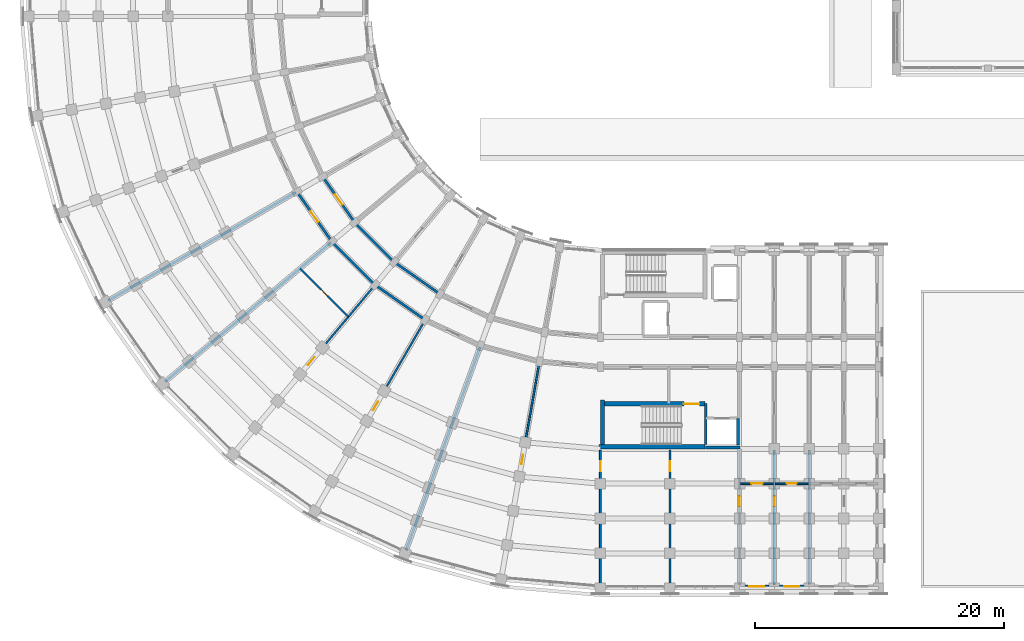
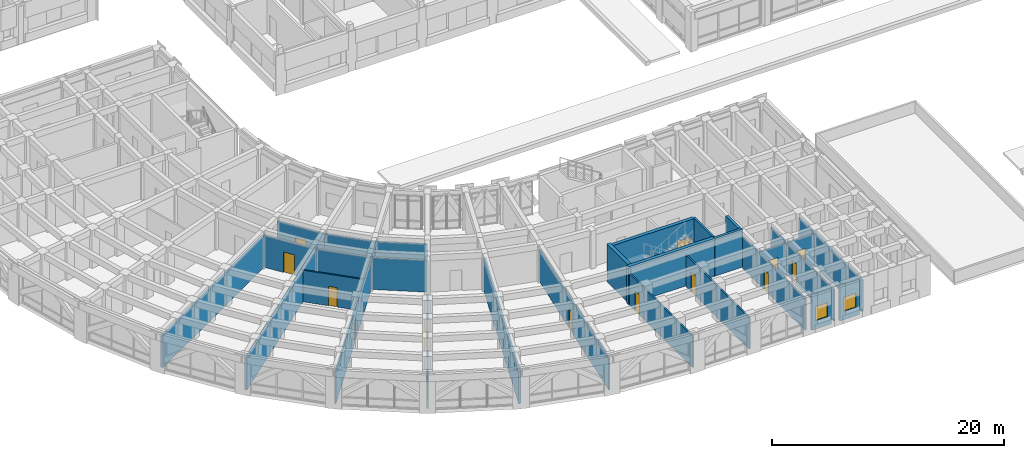
# One storey, part 57 of 97: 28 walls, 13 doors, 2 windows, 15 openings.
"""IFC4 building model written with IfcOpenShell, lengths in metres."""

from ifc_helpers import new_model, si_unit, direction, frame, frame_2d, origin, place, context, subcontext, project, spatial, rectangle, extrude, material, layer, layer_set, type_object, element, fill, save


model = new_model("IFC4")

# Units and contexts
model_context = context("Model", 3, precision=1e-05, world=origin(), true_north=direction((0.0, 1.0)))
body_context = subcontext(model_context, "Body", "Model", "MODEL_VIEW")
ifc_project = project(units=[si_unit("LENGTHUNIT", "METRE"), si_unit("AREAUNIT", "SQUARE_METRE"), si_unit("VOLUMEUNIT", "CUBIC_METRE"), si_unit("PLANEANGLEUNIT", "RADIAN"), si_unit("MASSUNIT", "GRAM", prefix="KILO")], contexts=[model_context])

# Site, building, storey
site_placement = place(None, origin())
site = spatial("IfcSite", under=ifc_project, at=site_placement, CompositionType="ELEMENT")
building_placement = place(site_placement, origin())
building = spatial("IfcBuilding", under=site, at=building_placement, Name="Kiranvali Square Residences", CompositionType="ELEMENT")
storey_placement = place(building_placement, frame((0.0, 0.0, 4.5)))
storey = spatial("IfcBuildingStorey", under=building, at=storey_placement, Name="L01", CompositionType="ELEMENT", Elevation=4.5)

# Walls
ifc_material_1 = material(Name="Autoclaved aerated concrete blockwork masonry", Category="masonry")
ifc_layer_1 = layer(ifc_material_1, 0.199951171875)
ifc_layer_set_1 = layer_set([ifc_layer_1], Name="Autoclaved aerated concrete blockwork masonry")
wall_type_1 = type_object("IfcWallType", Name="WL-COR-200", PredefinedType="STANDARD", material=ifc_layer_set_1)
wall_1_placement = place(storey_placement, frame((35.300048828125, 25.8564453125, 0.0), z_axis=(0.0, 0.0, 1.0), x_axis=(-0.819155404658, 0.573571637217, 0.0)))
element("IfcWall", 1, at=wall_1_placement, inside=storey, type_object=wall_type_1, Name="L01 architectural wall WL-L01-C-CCI-3", PredefinedType="STANDARD", context=body_context, shape_type="SweptSolid", body=[
    extrude(rectangle(XDim=4.497314453125, YDim=0.199951171875, at=frame_2d((2.24853515625, 0.0))), origin(), (0.0, 0.0, 1.0), 3.322021484375),
])
wall_2_placement = place(storey_placement, frame((34.10009765625, 23.778076171875, 0.0), z_axis=(0.0, 0.0, 1.0), x_axis=(-0.819140911474, 0.573592335331, 0.0)))
element("IfcWall", 2, at=wall_2_placement, inside=storey, type_object=wall_type_1, Name="L01 architectural wall WL-L01-C-CCO-3", PredefinedType="STANDARD", context=body_context, shape_type="SweptSolid", body=[
    extrude(rectangle(XDim=4.915771484375, YDim=0.199951171875, at=frame_2d((2.4580078125, 0.0))), origin(), (0.0, 0.0, 1.0), 3.322021484375),
])
wall_3_placement = place(storey_placement, frame((31.615966796875, 28.43603515625, 0.0), z_axis=(0.0, 0.0, 1.0), x_axis=(-0.707106781187, 0.707106781187, 0.0)))
element("IfcWall", 3, at=wall_3_placement, inside=storey, type_object=wall_type_1, Name="L01 architectural wall WL-L01-C-CCI-4", PredefinedType="STANDARD", context=body_context, shape_type="SweptSolid", body=[
    extrude(rectangle(XDim=4.4970703125, YDim=0.199951171875, at=frame_2d((2.24853515625, 0.0))), origin(), (0.0, 0.0, 1.0), 3.322021484375),
])
wall_4_placement = place(storey_placement, frame((30.073486328125, 26.59765625, 0.0), z_axis=(0.0, 0.0, 1.0), x_axis=(-0.707106781187, 0.707106781187, 0.0)))
element("IfcWall", 4, at=wall_4_placement, inside=storey, type_object=wall_type_1, Name="L01 architectural wall WL-L01-C-CCO-4", PredefinedType="STANDARD", context=body_context, shape_type="SweptSolid", body=[
    extrude(rectangle(XDim=4.91552734375, YDim=0.199951171875, at=frame_2d((2.457763671875, 0.0))), origin(), (0.0, 0.0, 1.0), 3.322021484375),
])

# Wall, opening, door
wall_5_placement = place(storey_placement, frame((28.43603515625, 31.615966796875, 0.0), z_axis=(0.0, 0.0, 1.0), x_axis=(-0.573571637217, 0.819155404658, 0.0)))
wall_5 = element("IfcWall", 5, at=wall_5_placement, inside=storey, type_object=wall_type_1, Name="L01 architectural wall WL-L01-C-CCI-5", PredefinedType="STANDARD", context=body_context, shape_type="SweptSolid", body=[
    extrude(rectangle(XDim=4.497314453125, YDim=0.199951171875, at=frame_2d((2.24853515625, 0.0))), origin(), (0.0, 0.0, 1.0), 3.322021484375),
])
opening_1_placement = place(wall_5_placement, frame((1.74853515625, 0.0, 0.0)))
opening_1 = element("IfcOpeningElement", 6, at=opening_1_placement, cuts=wall_5, Name="Opening FD-APT-60", PredefinedType="OPENING", context=body_context, shape_type="SweptSolid", body=[
    extrude(rectangle(XDim=1.0, YDim=2.14990234375, at=frame_2d((0.5, 1.074951171875))), frame((0.0, 0.10986328125, 0.0), z_axis=(0.0, -1.0, 0.0), x_axis=(1.0, 0.0, 0.0)), (0.0, 0.0, 1.0), 0.219970703125),
])
ifc_material_2 = material(Name="Fire-rated acoustic hardwood and mineral-core door assembly", Category="wood")
door_type_1 = type_object("IfcDoorType", Name="DR-APT-1000", OperationType="NOTDEFINED", PredefinedType="DOOR", material=ifc_material_2)
door_1_placement = place(opening_1_placement, origin())
door_1 = element("IfcDoor", 7, at=door_1_placement, inside=storey, type_object=door_type_1, Name="L01 door DR-L01-1833 (DR-APT-1000)", OperationType="SINGLE_SWING_LEFT", OverallHeight=2.14990234375, OverallWidth=1.0, PredefinedType="DOOR", context=body_context, shape_type="SweptSolid", body=[
    extrude(rectangle(XDim=1.0, YDim=2.14990234375, at=frame_2d((0.5, 1.074951171875))), frame((0.0, 0.02490234375, 0.0), z_axis=(0.0, -1.0, 0.0), x_axis=(1.0, 0.0, 0.0)), (0.0, 0.0, 1.0), 0.050048828125),
])
fill(opening_1, door_1)

wall_6_placement = place(storey_placement, frame((26.59765625, 30.073486328125, 0.0), z_axis=(0.0, 0.0, 1.0), x_axis=(-0.573592335331, 0.819140911474, 0.0)))
wall_6 = element("IfcWall", 8, at=wall_6_placement, inside=storey, type_object=wall_type_1, Name="L01 architectural wall WL-L01-C-CCO-5", PredefinedType="STANDARD", context=body_context, shape_type="SweptSolid", body=[
    extrude(rectangle(XDim=4.915771484375, YDim=0.199951171875, at=frame_2d((2.4580078125, 0.0))), origin(), (0.0, 0.0, 1.0), 3.322021484375),
])
opening_2_placement = place(wall_6_placement, frame((1.937744140625, 0.0, 0.0)))
opening_2 = element("IfcOpeningElement", 9, at=opening_2_placement, cuts=wall_6, Name="Opening FD-APT-60B", PredefinedType="OPENING", context=body_context, shape_type="SweptSolid", body=[
    extrude(rectangle(XDim=1.0400390625, YDim=2.14990234375, at=frame_2d((0.52001953125, 1.074951171875))), frame((0.0, 0.10986328125, 0.0), z_axis=(0.0, -1.0, 0.0), x_axis=(1.0, 0.0, 0.0)), (0.0, 0.0, 1.0), 0.219970703125),
])
door_type_2 = type_object("IfcDoorType", Name="DR-APT-1040", OperationType="NOTDEFINED", PredefinedType="DOOR", material=ifc_material_2)
door_2_placement = place(opening_2_placement, origin())
door_2 = element("IfcDoor", 10, at=door_2_placement, inside=storey, type_object=door_type_2, Name="L01 door DR-L01-1827 (DR-APT-1040)", OperationType="SINGLE_SWING_LEFT", OverallHeight=2.14990234375, OverallWidth=1.0400390625, PredefinedType="DOOR", context=body_context, shape_type="SweptSolid", body=[
    extrude(rectangle(XDim=1.0400390625, YDim=2.14990234375, at=frame_2d((0.52001953125, 1.074951171875))), frame((0.0, 0.02490234375, 0.0), z_axis=(0.0, -1.0, 0.0), x_axis=(1.0, 0.0, 0.0)), (0.0, 0.0, 1.0), 0.050048828125),
])
fill(opening_2, door_2)

# Walls
ifc_layer_2 = layer(ifc_material_1, 0.219970703125)
ifc_layer_set_2 = layer_set([ifc_layer_2], Name="Autoclaved aerated concrete blockwork masonry")
wall_type_2 = type_object("IfcWallType", Name="WL-DEM-220", PredefinedType="STANDARD", material=ifc_layer_set_2)
wall_7_placement = place(storey_placement, frame((65.0, 13.300048828125, 0.0), z_axis=(0.0, 0.0, 1.0), x_axis=(0.0, -1.0, 0.0)))
element("IfcWall", 11, at=wall_7_placement, inside=storey, type_object=wall_type_2, Name="L01 architectural wall WL-L01-C-A1TO2-2", PredefinedType="STANDARD", context=body_context, shape_type="SweptSolid", body=[
    extrude(rectangle(XDim=10.820068359375, YDim=0.219970703125, at=frame_2d((5.41015625, 0.0))), origin(), (0.0, 0.0, 1.0), 3.322021484375),
])
ifc_layer_3 = layer(ifc_material_1, 0.22998046875)
ifc_layer_set_3 = layer_set([ifc_layer_3], Name="Autoclaved aerated concrete blockwork masonry")
wall_type_3 = type_object("IfcWallType", Name="WL-DEM-230", PredefinedType="STANDARD", material=ifc_layer_set_3)
for number, where, z_axis, x_axis, name in (
    (12, (38.520751953125, 21.606689453125, 0.0), (0.0, 0.0, 1.0), (-0.342022120477, -0.939691901159, 0.0), "L01 architectural wall WL-L01-C-RADO-2"),
    (13, (26.52099609375, 30.009033203125, 0.0), (0.0, 0.0, 1.0), (-0.766046835987, -0.642784757967, 0.0), "L01 architectural wall WL-L01-C-RADO-5"),
    (14, (23.69140625, 34.050048828125, 0.0), (0.0, 0.0, 1.0), (-0.866026648973, -0.499997843263, 0.0), "L01 architectural wall WL-L01-C-RADO-6"),
):
    element("IfcWall", number, at=place(storey_placement, frame(where, z_axis=z_axis, x_axis=x_axis)), inside=storey, type_object=wall_type_3, Name=name, PredefinedType="STANDARD", context=body_context, shape_type="SweptSolid", body=[
        extrude(rectangle(XDim=17.419921875, YDim=0.22998046875, at=frame_2d((8.7099609375, 0.0))), origin(), (0.0, 0.0, 1.0), 3.322021484375),
    ])

# Wall, opening, window
ifc_material_3 = material(Name="Breathable lime-rendered clay brick masonry", Category="masonry")
ifc_layer_4 = layer(ifc_material_3, 0.25)
ifc_layer_set_4 = layer_set([ifc_layer_4], Name="Breathable lime-rendered clay brick masonry")
wall_type_4 = type_object("IfcWallType", Name="WL-EXT-250", PredefinedType="STANDARD", material=ifc_layer_set_4)
wall_8_placement = place(storey_placement, frame((59.82861328125, 2.324951171875, 0.0), z_axis=(0.0, 0.0, 1.0), x_axis=(1.0, 0.0, 0.0)))
wall_8 = element("IfcWall", 15, at=wall_8_placement, inside=storey, type_object=wall_type_4, Name="L01 exterior wall C-L01-A1O-2", PredefinedType="STANDARD", context=body_context, shape_type="SweptSolid", body=[
    extrude(rectangle(XDim=1.94287109375, YDim=0.25, at=frame_2d((0.971435546875, 0.0))), origin(), (0.0, 0.0, 1.0), 3.52197265625),
])
opening_3_placement = place(wall_8_placement, frame((0.37158203125, 0.0, 0.8798828125)))
opening_3 = element("IfcOpeningElement", 16, at=opening_3_placement, cuts=wall_8, Name="Opening W-06", PredefinedType="OPENING", context=body_context, shape_type="SweptSolid", body=[
    extrude(rectangle(XDim=1.199951171875, YDim=1.5, at=frame_2d((0.60009765625, 0.75))), frame((0.0, 0.135009765625, 0.0), z_axis=(0.0, -1.0, 0.0), x_axis=(1.0, 0.0, 0.0)), (0.0, 0.0, 1.0), 0.27001953125),
])
ifc_material_4 = material(Name="Solar-control low-e double glazing", Category="glass")
window_type = type_object("IfcWindowType", Name="WIN-RES-1200x1500", PartitioningType="SINGLE_PANEL", PredefinedType="WINDOW", material=ifc_material_4)
window_1_placement = place(opening_3_placement, origin())
window_1 = element("IfcWindow", 17, at=window_1_placement, inside=storey, type_object=window_type, Name="L01 recessed window C-L01-A1O-2", OverallHeight=1.5, OverallWidth=1.199951171875, PartitioningType="SINGLE_PANEL", PredefinedType="WINDOW", context=body_context, shape_type="SweptSolid", body=[
    extrude(rectangle(XDim=1.199951171875, YDim=1.5, at=frame_2d((0.60009765625, 0.75))), frame((0.0, 0.030029296875, 0.0), z_axis=(0.0, -1.0, 0.0), x_axis=(1.0, 0.0, 0.0)), (0.0, 0.0, 1.0), 0.06005859375),
])
fill(opening_3, window_1)

wall_9_placement = place(storey_placement, frame((62.62841796875, 2.324951171875, 0.0), z_axis=(0.0, 0.0, 1.0), x_axis=(1.0, 0.0, 0.0)))
wall_9 = element("IfcWall", 18, at=wall_9_placement, inside=storey, type_object=wall_type_4, Name="L01 exterior wall C-L01-A1O-3", PredefinedType="STANDARD", context=body_context, shape_type="SweptSolid", body=[
    extrude(rectangle(XDim=1.943115234375, YDim=0.25, at=frame_2d((0.9716796875, 0.0))), origin(), (0.0, 0.0, 1.0), 3.52197265625),
])
opening_4_placement = place(wall_9_placement, frame((0.37158203125, 0.0, 0.8798828125)))
opening_4 = element("IfcOpeningElement", 19, at=opening_4_placement, cuts=wall_9, Name="Opening W-06", PredefinedType="OPENING", context=body_context, shape_type="SweptSolid", body=[
    extrude(rectangle(XDim=1.199951171875, YDim=1.5, at=frame_2d((0.60009765625, 0.75))), frame((0.0, 0.135009765625, 0.0), z_axis=(0.0, -1.0, 0.0), x_axis=(1.0, 0.0, 0.0)), (0.0, 0.0, 1.0), 0.27001953125),
])
window_2_placement = place(opening_4_placement, origin())
window_2 = element("IfcWindow", 20, at=window_2_placement, inside=storey, type_object=window_type, Name="L01 recessed window C-L01-A1O-3", OverallHeight=1.5, OverallWidth=1.199951171875, PartitioningType="SINGLE_PANEL", PredefinedType="WINDOW", context=body_context, shape_type="SweptSolid", body=[
    extrude(rectangle(XDim=1.199951171875, YDim=1.5, at=frame_2d((0.60009765625, 0.75))), frame((0.0, 0.030029296875, 0.0), z_axis=(0.0, -1.0, 0.0), x_axis=(1.0, 0.0, 0.0)), (0.0, 0.0, 1.0), 0.06005859375),
])
fill(opening_4, window_2)

# Wall, opening, door
ifc_material_5 = material(Name="Acoustic gypsum board drylined partition", Category="gypsum")
ifc_layer_5 = layer(ifc_material_5, 0.14990234375)
ifc_layer_set_5 = layer_set([ifc_layer_5], Name="Acoustic gypsum board drylined partition")
wall_type_5 = type_object("IfcWallType", Name="WL-PRT-150", PredefinedType="PARTITIONING", material=ifc_layer_set_5)
wall_10_placement = place(storey_placement, frame((53.800048828125, 13.300048828125, 0.0), z_axis=(0.0, 0.0, 1.0), x_axis=(0.0, -1.0, 0.0)))
wall_10 = element("IfcWall", 21, at=wall_10_placement, inside=storey, type_object=wall_type_5, Name="L01 architectural wall WL-L01-C-CF-MID", PredefinedType="PARTITIONING", context=body_context, shape_type="SweptSolid", body=[
    extrude(rectangle(XDim=10.820068359375, YDim=0.14990234375, at=frame_2d((5.41015625, 0.0))), origin(), (0.0, 0.0, 1.0), 3.322021484375),
])
opening_5_placement = place(wall_10_placement, frame((0.8994140625, 0.0, 0.0)))
opening_5 = element("IfcOpeningElement", 22, at=opening_5_placement, cuts=wall_10, Name="Opening ID-WET", PredefinedType="OPENING", context=body_context, shape_type="SweptSolid", body=[
    extrude(rectangle(XDim=0.800048828125, YDim=2.10009765625, at=frame_2d((0.39990234375, 1.050048828125))), frame((0.0, 0.0849609375, 0.0), z_axis=(0.0, -1.0, 0.0), x_axis=(1.0, 0.0, 0.0)), (0.0, 0.0, 1.0), 0.169921875),
])
ifc_material_6 = material(Name="Solid seasoned teak hardwood joinery", Category="wood")
door_type_3 = type_object("IfcDoorType", Name="DR-WET-800", OperationType="NOTDEFINED", PredefinedType="DOOR", material=ifc_material_6)
door_3_placement = place(opening_5_placement, frame((0.800048828125, 0.0, 0.0), z_axis=(0.0, 0.0, 1.0), x_axis=(-1.0, 0.0, 0.0)))
door_3 = element("IfcDoor", 23, at=door_3_placement, inside=storey, type_object=door_type_3, Name="L01 door DR-L01-1798 (DR-WET-800)", OperationType="SINGLE_SWING_RIGHT", OverallHeight=2.10009765625, OverallWidth=0.800048828125, PredefinedType="DOOR", context=body_context, shape_type="SweptSolid", body=[
    extrude(rectangle(XDim=0.800048828125, YDim=2.10009765625, at=frame_2d((0.39990234375, 1.050048828125))), frame((0.0, 0.02490234375, 0.0), z_axis=(0.0, -1.0, 0.0), x_axis=(1.0, 0.0, 0.0)), (0.0, 0.0, 1.0), 0.050048828125),
])
fill(opening_5, door_3)

wall_11_placement = place(storey_placement, frame((59.39990234375, 13.300048828125, 0.0), z_axis=(0.0, 0.0, 1.0), x_axis=(0.0, -1.0, 0.0)))
wall_11 = element("IfcWall", 24, at=wall_11_placement, inside=storey, type_object=wall_type_5, Name="L01 architectural wall WL-L01-C-A1TO2-0", PredefinedType="PARTITIONING", context=body_context, shape_type="SweptSolid", body=[
    extrude(rectangle(XDim=10.820068359375, YDim=0.14990234375, at=frame_2d((5.41015625, 0.0))), origin(), (0.0, 0.0, 1.0), 3.322021484375),
])
opening_6_placement = place(wall_11_placement, frame((3.69970703125, 0.0, 0.0)))
opening_6 = element("IfcOpeningElement", 25, at=opening_6_placement, cuts=wall_11, Name="Opening ID-WET", PredefinedType="OPENING", context=body_context, shape_type="SweptSolid", body=[
    extrude(rectangle(XDim=0.800048828125, YDim=2.10009765625, at=frame_2d((0.39990234375, 1.050048828125))), frame((0.0, 0.0849609375, 0.0), z_axis=(0.0, -1.0, 0.0), x_axis=(1.0, 0.0, 0.0)), (0.0, 0.0, 1.0), 0.169921875),
])
door_4_placement = place(opening_6_placement, origin())
door_4 = element("IfcDoor", 26, at=door_4_placement, inside=storey, type_object=door_type_3, Name="L01 door DR-L01-1807 (DR-WET-800)", OperationType="SINGLE_SWING_LEFT", OverallHeight=2.10009765625, OverallWidth=0.800048828125, PredefinedType="DOOR", context=body_context, shape_type="SweptSolid", body=[
    extrude(rectangle(XDim=0.800048828125, YDim=2.10009765625, at=frame_2d((0.39990234375, 1.050048828125))), frame((0.0, 0.02490234375, 0.0), z_axis=(0.0, -1.0, 0.0), x_axis=(1.0, 0.0, 0.0)), (0.0, 0.0, 1.0), 0.050048828125),
])
fill(opening_6, door_4)

wall_12_placement = place(storey_placement, frame((62.199951171875, 13.300048828125, 0.0), z_axis=(0.0, 0.0, 1.0), x_axis=(0.0, -1.0, 0.0)))
wall_12 = element("IfcWall", 27, at=wall_12_placement, inside=storey, type_object=wall_type_5, Name="L01 architectural wall WL-L01-C-A1TO2-1", PredefinedType="PARTITIONING", context=body_context, shape_type="SweptSolid", body=[
    extrude(rectangle(XDim=10.820068359375, YDim=0.14990234375, at=frame_2d((5.41015625, 0.0))), origin(), (0.0, 0.0, 1.0), 3.322021484375),
])
opening_7_placement = place(wall_12_placement, frame((3.69970703125, 0.0, 0.0)))
opening_7 = element("IfcOpeningElement", 28, at=opening_7_placement, cuts=wall_12, Name="Opening ID-WET", PredefinedType="OPENING", context=body_context, shape_type="SweptSolid", body=[
    extrude(rectangle(XDim=0.800048828125, YDim=2.10009765625, at=frame_2d((0.39990234375, 1.050048828125))), frame((0.0, 0.0849609375, 0.0), z_axis=(0.0, -1.0, 0.0), x_axis=(1.0, 0.0, 0.0)), (0.0, 0.0, 1.0), 0.169921875),
])
door_5_placement = place(opening_7_placement, frame((0.800048828125, 0.0, 0.0), z_axis=(0.0, 0.0, 1.0), x_axis=(-1.0, 0.0, 0.0)))
door_5 = element("IfcDoor", 29, at=door_5_placement, inside=storey, type_object=door_type_3, Name="L01 door DR-L01-1810 (DR-WET-800)", OperationType="SINGLE_SWING_RIGHT", OverallHeight=2.10009765625, OverallWidth=0.800048828125, PredefinedType="DOOR", context=body_context, shape_type="SweptSolid", body=[
    extrude(rectangle(XDim=0.800048828125, YDim=2.10009765625, at=frame_2d((0.39990234375, 1.050048828125))), frame((0.0, 0.02490234375, 0.0), z_axis=(0.0, -1.0, 0.0), x_axis=(1.0, 0.0, 0.0)), (0.0, 0.0, 1.0), 0.050048828125),
])
fill(opening_7, door_5)

wall_13_placement = place(storey_placement, frame((48.199951171875, 13.300048828125, 0.0), z_axis=(0.0, 0.0, 1.0), x_axis=(0.0, -1.0, 0.0)))
wall_13 = element("IfcWall", 30, at=wall_13_placement, inside=storey, type_object=wall_type_5, Name="L01 architectural wall WL-L01-C-RADO-0", PredefinedType="PARTITIONING", context=body_context, shape_type="SweptSolid", body=[
    extrude(rectangle(XDim=10.820068359375, YDim=0.14990234375, at=frame_2d((5.41015625, 0.0))), origin(), (0.0, 0.0, 1.0), 3.322021484375),
])
opening_8_placement = place(wall_13_placement, frame((0.8994140625, 0.0, 0.0)))
opening_8 = element("IfcOpeningElement", 31, at=opening_8_placement, cuts=wall_13, Name="Opening ID-WET", PredefinedType="OPENING", context=body_context, shape_type="SweptSolid", body=[
    extrude(rectangle(XDim=0.800048828125, YDim=2.10009765625, at=frame_2d((0.39990234375, 1.050048828125))), frame((0.0, 0.0849609375, 0.0), z_axis=(0.0, -1.0, 0.0), x_axis=(1.0, 0.0, 0.0)), (0.0, 0.0, 1.0), 0.169921875),
])
door_6_placement = place(opening_8_placement, frame((0.800048828125, 0.0, 0.0), z_axis=(0.0, 0.0, 1.0), x_axis=(-1.0, 0.0, 0.0)))
door_6 = element("IfcDoor", 32, at=door_6_placement, inside=storey, type_object=door_type_3, Name="L01 door DR-L01-1814 (DR-WET-800)", OperationType="SINGLE_SWING_RIGHT", OverallHeight=2.10009765625, OverallWidth=0.800048828125, PredefinedType="DOOR", context=body_context, shape_type="SweptSolid", body=[
    extrude(rectangle(XDim=0.800048828125, YDim=2.10009765625, at=frame_2d((0.39990234375, 1.050048828125))), frame((0.0, 0.02490234375, 0.0), z_axis=(0.0, -1.0, 0.0), x_axis=(1.0, 0.0, 0.0)), (0.0, 0.0, 1.0), 0.050048828125),
])
fill(opening_8, door_6)

wall_14_placement = place(storey_placement, frame((43.28564453125, 20.329833984375, 0.0), z_axis=(0.0, 0.0, 1.0), x_axis=(-0.173646216546, -0.984808098809, 0.0)))
wall_14 = element("IfcWall", 33, at=wall_14_placement, inside=storey, type_object=wall_type_5, Name="L01 architectural wall WL-L01-C-RADO-1", PredefinedType="PARTITIONING", context=body_context, shape_type="SweptSolid", body=[
    extrude(rectangle(XDim=17.419921875, YDim=0.14990234375, at=frame_2d((8.7099609375, 0.0))), origin(), (0.0, 0.0, 1.0), 3.322021484375),
])
opening_9_placement = place(wall_14_placement, frame((7.5, 0.0, 0.0)))
opening_9 = element("IfcOpeningElement", 34, at=opening_9_placement, cuts=wall_14, Name="Opening ID-WET", PredefinedType="OPENING", context=body_context, shape_type="SweptSolid", body=[
    extrude(rectangle(XDim=0.800048828125, YDim=2.10009765625, at=frame_2d((0.39990234375, 1.050048828125))), frame((0.0, 0.0849609375, 0.0), z_axis=(0.0, -1.0, 0.0), x_axis=(1.0, 0.0, 0.0)), (0.0, 0.0, 1.0), 0.169921875),
])
door_7_placement = place(opening_9_placement, frame((0.800048828125, 0.0, 0.0), z_axis=(0.0, 0.0, 1.0), x_axis=(-1.0, 0.0, 0.0)))
door_7 = element("IfcDoor", 35, at=door_7_placement, inside=storey, type_object=door_type_3, Name="L01 door DR-L01-1816 (DR-WET-800)", OperationType="SINGLE_SWING_RIGHT", OverallHeight=2.10009765625, OverallWidth=0.800048828125, PredefinedType="DOOR", context=body_context, shape_type="SweptSolid", body=[
    extrude(rectangle(XDim=0.800048828125, YDim=2.10009765625, at=frame_2d((0.39990234375, 1.050048828125))), frame((0.0, 0.02490234375, 0.0), z_axis=(0.0, -1.0, 0.0), x_axis=(1.0, 0.0, 0.0)), (0.0, 0.0, 1.0), 0.050048828125),
])
fill(opening_9, door_7)

wall_15_placement = place(storey_placement, frame((34.050048828125, 23.69140625, 0.0), z_axis=(0.0, 0.0, 1.0), x_axis=(-0.499997843263, -0.866026648973, 0.0)))
wall_15 = element("IfcWall", 36, at=wall_15_placement, inside=storey, type_object=wall_type_5, Name="L01 architectural wall WL-L01-C-RADO-3", PredefinedType="PARTITIONING", context=body_context, shape_type="SweptSolid", body=[
    extrude(rectangle(XDim=17.419921875, YDim=0.14990234375, at=frame_2d((8.7099609375, 0.0))), origin(), (0.0, 0.0, 1.0), 3.322021484375),
])
opening_10_placement = place(wall_15_placement, frame((7.5, 0.0, 0.0)))
opening_10 = element("IfcOpeningElement", 37, at=opening_10_placement, cuts=wall_15, Name="Opening ID-WET", PredefinedType="OPENING", context=body_context, shape_type="SweptSolid", body=[
    extrude(rectangle(XDim=0.800048828125, YDim=2.10009765625, at=frame_2d((0.39990234375, 1.050048828125))), frame((0.0, 0.0849609375, 0.0), z_axis=(0.0, -1.0, 0.0), x_axis=(1.0, 0.0, 0.0)), (0.0, 0.0, 1.0), 0.169921875),
])
door_8_placement = place(opening_10_placement, frame((0.800048828125, 0.0, 0.0), z_axis=(0.0, 0.0, 1.0), x_axis=(-1.0, 0.0, 0.0)))
door_8 = element("IfcDoor", 38, at=door_8_placement, inside=storey, type_object=door_type_3, Name="L01 door DR-L01-1818 (DR-WET-800)", OperationType="SINGLE_SWING_RIGHT", OverallHeight=2.10009765625, OverallWidth=0.800048828125, PredefinedType="DOOR", context=body_context, shape_type="SweptSolid", body=[
    extrude(rectangle(XDim=0.800048828125, YDim=2.10009765625, at=frame_2d((0.39990234375, 1.050048828125))), frame((0.0, 0.02490234375, 0.0), z_axis=(0.0, -1.0, 0.0), x_axis=(1.0, 0.0, 0.0)), (0.0, 0.0, 1.0), 0.050048828125),
])
fill(opening_10, door_8)

wall_16_placement = place(storey_placement, frame((30.009033203125, 26.52099609375, 0.0), z_axis=(0.0, 0.0, 1.0), x_axis=(-0.642784757967, -0.766046835987, 0.0)))
wall_16 = element("IfcWall", 39, at=wall_16_placement, inside=storey, type_object=wall_type_5, Name="L01 architectural wall WL-L01-C-RADO-4", PredefinedType="PARTITIONING", context=body_context, shape_type="SweptSolid", body=[
    extrude(rectangle(XDim=17.419921875, YDim=0.14990234375, at=frame_2d((8.7099609375, 0.0))), origin(), (0.0, 0.0, 1.0), 3.322021484375),
])
opening_11_placement = place(wall_16_placement, frame((7.5, 0.0, 0.0)))
opening_11 = element("IfcOpeningElement", 40, at=opening_11_placement, cuts=wall_16, Name="Opening ID-WET", PredefinedType="OPENING", context=body_context, shape_type="SweptSolid", body=[
    extrude(rectangle(XDim=0.800048828125, YDim=2.10009765625, at=frame_2d((0.39990234375, 1.050048828125))), frame((0.0, 0.0849609375, 0.0), z_axis=(0.0, -1.0, 0.0), x_axis=(1.0, 0.0, 0.0)), (0.0, 0.0, 1.0), 0.169921875),
])
door_9_placement = place(opening_11_placement, frame((0.800048828125, 0.0, 0.0), z_axis=(0.0, 0.0, 1.0), x_axis=(-1.0, 0.0, 0.0)))
door_9 = element("IfcDoor", 41, at=door_9_placement, inside=storey, type_object=door_type_3, Name="L01 door DR-L01-1820 (DR-WET-800)", OperationType="SINGLE_SWING_RIGHT", OverallHeight=2.10009765625, OverallWidth=0.800048828125, PredefinedType="DOOR", context=body_context, shape_type="SweptSolid", body=[
    extrude(rectangle(XDim=0.800048828125, YDim=2.10009765625, at=frame_2d((0.39990234375, 1.050048828125))), frame((0.0, 0.02490234375, 0.0), z_axis=(0.0, -1.0, 0.0), x_axis=(1.0, 0.0, 0.0)), (0.0, 0.0, 1.0), 0.050048828125),
])
fill(opening_11, door_9)

# Walls
ifc_layer_6 = layer(ifc_material_1, 0.199951171875)
ifc_layer_set_6 = layer_set([ifc_layer_6], Name="Autoclaved aerated concrete blockwork masonry")
wall_type_6 = type_object("IfcWallType", Name="WL-SHF-200", PredefinedType="STANDARD", material=ifc_layer_set_6)
wall_17_placement = place(storey_placement, frame((56.699951171875, 17.050048828125, 0.0), z_axis=(0.0, 0.0, 1.0), x_axis=(0.0, -1.0, 0.0)))
element("IfcWall", 42, at=wall_17_placement, inside=storey, type_object=wall_type_6, Name="L01 architectural wall WL-L01-C-FF-SHF", PredefinedType="STANDARD", context=body_context, shape_type="SweptSolid", body=[
    extrude(rectangle(XDim=3.300048828125, YDim=0.199951171875, at=frame_2d((1.64990234375, 0.0))), origin(), (0.0, 0.0, 1.0), 3.97998046875),
])
ifc_material_7 = material(Name="Concrete M45 (45 MPa)", Category="concrete")
ifc_layer_7 = layer(ifc_material_7, 0.25)
ifc_layer_set_7 = layer_set([ifc_layer_7], Name="Concrete M45 (45 MPa)")
wall_type_7 = type_object("IfcWallType", Name="WL-SHR-250", PredefinedType="SHEAR", material=ifc_layer_set_7)
wall_18_placement = place(storey_placement, frame((56.64990234375, 13.52490234375, 0.0), z_axis=(0.0, 0.0, 1.0), x_axis=(1.0, 0.0, 0.0)))
element("IfcWall", 43, at=wall_18_placement, inside=storey, type_object=wall_type_7, Name="Block C core shear wall SW-CFF-BK-L01", PredefinedType="SHEAR", context=body_context, shape_type="SweptSolid", body=[
    extrude(rectangle(XDim=2.800048828125, YDim=0.25, at=frame_2d((1.39990234375, 0.0))), origin(), (0.0, 0.0, 1.0), 3.97998046875),
])
wall_19_placement = place(storey_placement, frame((59.27490234375, 15.85009765625, 0.0), z_axis=(0.0, 0.0, 1.0), x_axis=(0.0, -1.0, 0.0)))
element("IfcWall", 44, at=wall_19_placement, inside=storey, type_object=wall_type_7, Name="Block C core shear wall SW-CFF-SD-L01", PredefinedType="SHEAR", context=body_context, shape_type="SweptSolid", body=[
    extrude(rectangle(XDim=2.150146484375, YDim=0.25, at=frame_2d((1.0751953125, 0.0))), origin(), (0.0, 0.0, 1.0), 3.97998046875),
])
ifc_material_8 = material(Name="Concrete M50 (50 MPa)", Category="concrete")
ifc_layer_8 = layer(ifc_material_8, 0.35009765625)
ifc_layer_set_8 = layer_set([ifc_layer_8], Name="Concrete M50 (50 MPa)")
wall_type_8 = type_object("IfcWallType", Name="WL-SHR-350", PredefinedType="SHEAR", material=ifc_layer_set_8)
wall_20_placement = place(storey_placement, frame((48.080078125, 13.574951171875, 0.0), z_axis=(0.0, 0.0, 1.0), x_axis=(1.0, 0.0, 0.0)))
element("IfcWall", 45, at=wall_20_placement, inside=storey, type_object=wall_type_8, Name="Block C core shear wall SW-C1-OUT-L01", PredefinedType="SHEAR", context=body_context, shape_type="SweptSolid", body=[
    extrude(rectangle(XDim=8.544921875, YDim=0.35009765625, at=frame_2d((4.2724609375, 0.0))), origin(), (0.0, 0.0, 1.0), 3.97998046875),
])

# Wall, opening, door
wall_21_placement = place(storey_placement, frame((48.550048828125, 17.02490234375, 0.0), z_axis=(0.0, 0.0, 1.0), x_axis=(1.0, 0.0, 0.0)))
wall_21 = element("IfcWall", 46, at=wall_21_placement, inside=storey, type_object=wall_type_8, Name="Block C core shear wall SW-C1-IN-L01", PredefinedType="SHEAR", context=body_context, shape_type="SweptSolid", body=[
    extrude(rectangle(XDim=8.074951171875, YDim=0.35009765625, at=frame_2d((4.03759765625, 0.0))), origin(), (0.0, 0.0, 1.0), 3.97998046875),
])
opening_12_placement = place(wall_21_placement, frame((6.3798828125, 0.0, 0.0)))
opening_12 = element("IfcOpeningElement", 47, at=opening_12_placement, cuts=wall_21, Name="Opening FD-ST-120", PredefinedType="OPENING", context=body_context, shape_type="SweptSolid", body=[
    extrude(rectangle(XDim=1.239990234375, YDim=2.14990234375, at=frame_2d((0.6201171875, 1.074951171875))), frame((0.0, 0.18505859375, 0.0), z_axis=(0.0, -1.0, 0.0), x_axis=(1.0, 0.0, 0.0)), (0.0, 0.0, 1.0), 0.3701171875),
])
door_type_4 = type_object("IfcDoorType", Name="DR-FD120-1200", OperationType="NOTDEFINED", PredefinedType="DOOR", material=ifc_material_2)
door_10_placement = place(opening_12_placement, frame((1.239990234375, 0.0, 0.0), z_axis=(0.0, 0.0, 1.0), x_axis=(-1.0, 0.0, 0.0)))
door_10 = element("IfcDoor", 48, at=door_10_placement, inside=storey, type_object=door_type_4, Name="L01 door DR-L01-1790 (DR-FD120-1200)", OperationType="SINGLE_SWING_RIGHT", OverallHeight=2.14990234375, OverallWidth=1.239990234375, PredefinedType="DOOR", context=body_context, shape_type="SweptSolid", body=[
    extrude(rectangle(XDim=1.239990234375, YDim=2.14990234375, at=frame_2d((0.6201171875, 1.074951171875))), frame((0.0, 0.02490234375, 0.0), z_axis=(0.0, -1.0, 0.0), x_axis=(1.0, 0.0, 0.0)), (0.0, 0.0, 1.0), 0.050048828125),
])
fill(opening_12, door_10)

# Wall
wall_22_placement = place(storey_placement, frame((48.375, 17.35009765625, 0.0), z_axis=(0.0, 0.0, 1.0), x_axis=(0.0, -1.0, 0.0)))
element("IfcWall", 49, at=wall_22_placement, inside=storey, type_object=wall_type_8, Name="Block C core shear wall SW-C1-FAR-L01", PredefinedType="SHEAR", context=body_context, shape_type="SweptSolid", body=[
    extrude(rectangle(XDim=3.60009765625, YDim=0.35009765625, at=frame_2d((1.800048828125, 0.0))), origin(), (0.0, 0.0, 1.0), 3.97998046875),
])

# Wall, opening, door
ifc_layer_9 = layer(ifc_material_1, 0.14990234375)
ifc_layer_set_9 = layer_set([ifc_layer_9], Name="Autoclaved aerated concrete blockwork masonry")
wall_type_9 = type_object("IfcWallType", Name="WL-WET-150", PredefinedType="PLUMBINGWALL", material=ifc_layer_set_9)
wall_23_placement = place(storey_placement, frame((59.47998046875, 10.60009765625, 0.0), z_axis=(0.0, 0.0, 1.0), x_axis=(1.0, 0.0, 0.0)))
wall_23 = element("IfcWall", 50, at=wall_23_placement, inside=storey, type_object=wall_type_9, Name="L01 architectural wall WL-L01-C-A1SP-0", PredefinedType="PLUMBINGWALL", context=body_context, shape_type="SweptSolid", body=[
    extrude(rectangle(XDim=2.64013671875, YDim=0.14990234375, at=frame_2d((1.320068359375, 0.0))), origin(), (0.0, 0.0, 1.0), 3.322021484375),
])
opening_13_placement = place(wall_23_placement, frame((0.8701171875, 0.0, 0.0)))
opening_13 = element("IfcOpeningElement", 51, at=opening_13_placement, cuts=wall_23, Name="Opening ID-1", PredefinedType="OPENING", context=body_context, shape_type="SweptSolid", body=[
    extrude(rectangle(XDim=0.89990234375, YDim=2.10009765625, at=frame_2d((0.449951171875, 1.050048828125))), frame((0.0, 0.0849609375, 0.0), z_axis=(0.0, -1.0, 0.0), x_axis=(1.0, 0.0, 0.0)), (0.0, 0.0, 1.0), 0.169921875),
])
door_type_5 = type_object("IfcDoorType", Name="DR-INT-900", OperationType="NOTDEFINED", PredefinedType="DOOR", material=ifc_material_6)
door_11_placement = place(opening_13_placement, frame((0.89990234375, 0.0, 0.0), z_axis=(0.0, 0.0, 1.0), x_axis=(-1.0, 0.0, 0.0)))
door_11 = element("IfcDoor", 52, at=door_11_placement, inside=storey, type_object=door_type_5, Name="L01 door DR-L01-1800 (DR-INT-900)", OperationType="SINGLE_SWING_RIGHT", OverallHeight=2.10009765625, OverallWidth=0.89990234375, PredefinedType="DOOR", context=body_context, shape_type="SweptSolid", body=[
    extrude(rectangle(XDim=0.89990234375, YDim=2.10009765625, at=frame_2d((0.449951171875, 1.050048828125))), frame((0.0, 0.02490234375, 0.0), z_axis=(0.0, -1.0, 0.0), x_axis=(1.0, 0.0, 0.0)), (0.0, 0.0, 1.0), 0.050048828125),
])
fill(opening_13, door_11)

wall_24_placement = place(storey_placement, frame((62.280029296875, 10.60009765625, 0.0), z_axis=(0.0, 0.0, 1.0), x_axis=(1.0, 0.0, 0.0)))
wall_24 = element("IfcWall", 53, at=wall_24_placement, inside=storey, type_object=wall_type_9, Name="L01 architectural wall WL-L01-C-A1SP-1", PredefinedType="PLUMBINGWALL", context=body_context, shape_type="SweptSolid", body=[
    extrude(rectangle(XDim=2.639892578125, YDim=0.14990234375, at=frame_2d((1.31982421875, 0.0))), origin(), (0.0, 0.0, 1.0), 3.322021484375),
])
opening_14_placement = place(wall_24_placement, frame((0.919921875, 0.0, 0.0)))
opening_14 = element("IfcOpeningElement", 54, at=opening_14_placement, cuts=wall_24, Name="Opening ID-WET", PredefinedType="OPENING", context=body_context, shape_type="SweptSolid", body=[
    extrude(rectangle(XDim=0.800048828125, YDim=2.10009765625, at=frame_2d((0.39990234375, 1.050048828125))), frame((0.0, 0.0849609375, 0.0), z_axis=(0.0, -1.0, 0.0), x_axis=(1.0, 0.0, 0.0)), (0.0, 0.0, 1.0), 0.169921875),
])
door_12_placement = place(opening_14_placement, frame((0.800048828125, 0.0, 0.0), z_axis=(0.0, 0.0, 1.0), x_axis=(-1.0, 0.0, 0.0)))
door_12 = element("IfcDoor", 55, at=door_12_placement, inside=storey, type_object=door_type_3, Name="L01 door DR-L01-1802 (DR-WET-800)", OperationType="SINGLE_SWING_RIGHT", OverallHeight=2.10009765625, OverallWidth=0.800048828125, PredefinedType="DOOR", context=body_context, shape_type="SweptSolid", body=[
    extrude(rectangle(XDim=0.800048828125, YDim=2.10009765625, at=frame_2d((0.39990234375, 1.050048828125))), frame((0.0, 0.02490234375, 0.0), z_axis=(0.0, -1.0, 0.0), x_axis=(1.0, 0.0, 0.0)), (0.0, 0.0, 1.0), 0.050048828125),
])
fill(opening_14, door_12)

wall_25_placement = place(storey_placement, frame((27.920166015625, 24.03125, 0.0), z_axis=(0.0, 0.0, 1.0), x_axis=(-0.707106781187, 0.707106781187, 0.0)))
wall_25 = element("IfcWall", 56, at=wall_25_placement, inside=storey, type_object=wall_type_9, Name="L01 architectural wall WL-L01-C-CWET-4", PredefinedType="PLUMBINGWALL", context=body_context, shape_type="SweptSolid", body=[
    extrude(rectangle(XDim=5.499755859375, YDim=0.14990234375, at=frame_2d((2.75, 0.0))), origin(), (0.0, 0.0, 1.0), 3.322021484375),
])
opening_15_placement = place(wall_25_placement, frame((2.369873046875, 0.0, 0.0)))
opening_15 = element("IfcOpeningElement", 57, at=opening_15_placement, cuts=wall_25, Name="Opening ID-WET0", PredefinedType="OPENING", context=body_context, shape_type="SweptSolid", body=[
    extrude(rectangle(XDim=0.760009765625, YDim=2.050048828125, at=frame_2d((0.3798828125, 1.02490234375))), frame((0.0, 0.0849609375, 0.0), z_axis=(0.0, -1.0, 0.0), x_axis=(1.0, 0.0, 0.0)), (0.0, 0.0, 1.0), 0.169921875),
])
door_type_6 = type_object("IfcDoorType", Name="DR-WET-760", OperationType="NOTDEFINED", PredefinedType="DOOR", material=ifc_material_6)
door_13_placement = place(opening_15_placement, frame((0.760009765625, 0.0, 0.0), z_axis=(0.0, 0.0, 1.0), x_axis=(-1.0, 0.0, 0.0)))
door_13 = element("IfcDoor", 58, at=door_13_placement, inside=storey, type_object=door_type_6, Name="L01 door DR-L01-1826 (DR-WET-760)", OperationType="SINGLE_SWING_RIGHT", OverallHeight=2.050048828125, OverallWidth=0.760009765625, PredefinedType="DOOR", context=body_context, shape_type="SweptSolid", body=[
    extrude(rectangle(XDim=0.760009765625, YDim=2.050048828125, at=frame_2d((0.3798828125, 1.02490234375))), frame((0.0, 0.02490234375, 0.0), z_axis=(0.0, -1.0, 0.0), x_axis=(1.0, 0.0, 0.0)), (0.0, 0.0, 1.0), 0.050048828125),
])
fill(opening_15, door_13)

save(model, "model.ifc")
